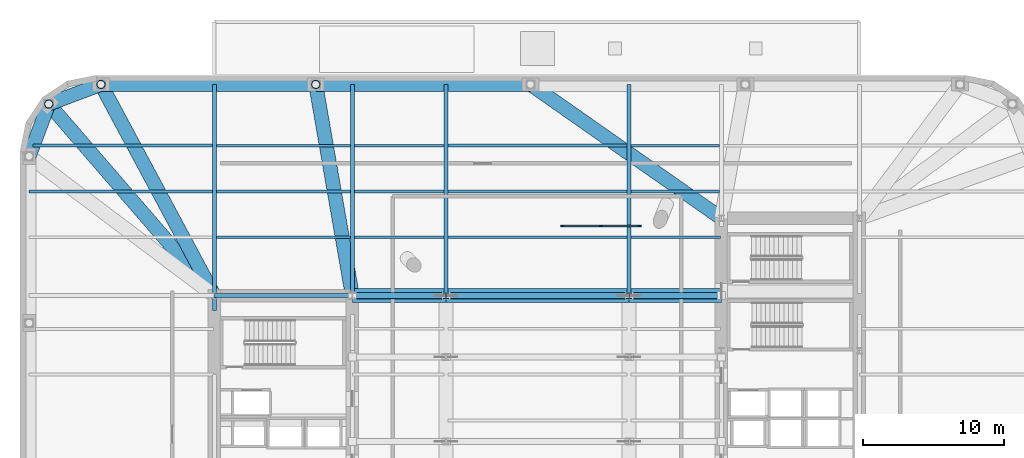
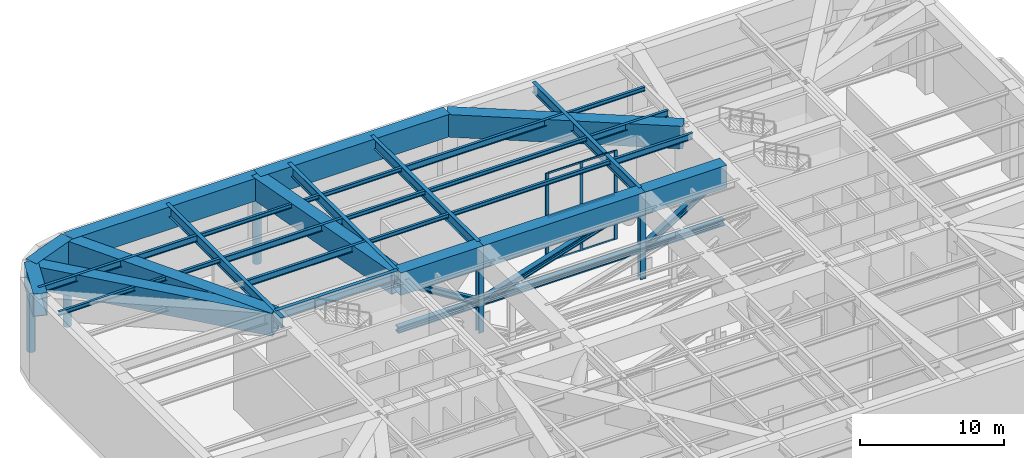
# One storey, part 5 of 15: 30 beams, 20 members, 1 element without a shape of its own.
"""IFC4 building model written with IfcOpenShell, lengths in metres."""

from ifc_helpers import new_model, si_unit, direction, frame, origin, origin_2d, place, context, subcontext, project, spatial, rectangle, hollow_rectangle, hollow_circle, i_section, extrude, material, material_profile, profile_set, type_object, element, aggregate, save


model = new_model("IFC4")

# Units and contexts
model_context = context("Model", 3, precision=1e-05, world=origin(), true_north=direction((0.0, 1.0)))
body_context = subcontext(model_context, "Body", "Model", "MODEL_VIEW")
ifc_project = project(units=[si_unit("LENGTHUNIT", "METRE"), si_unit("AREAUNIT", "SQUARE_METRE"), si_unit("VOLUMEUNIT", "CUBIC_METRE"), si_unit("PLANEANGLEUNIT", "RADIAN"), si_unit("MASSUNIT", "GRAM", prefix="KILO")], contexts=[model_context])

# Site, building, storey
site_placement = place(None, origin())
site = spatial("IfcSite", under=ifc_project, at=site_placement, CompositionType="ELEMENT")
building_placement = place(site_placement, origin())
building = spatial("IfcBuilding", under=site, at=building_placement, Name="Kolvaren Arena Tower", CompositionType="ELEMENT")
storey_placement = place(building_placement, frame((0.0, 0.0, 34.0)))
storey = spatial("IfcBuildingStorey", under=building, at=storey_placement, Name="L06", CompositionType="ELEMENT", Elevation=34.0)

# Beams
ifc_material_1 = material(Name="Steel CSA G40.21 350W", Category="steel")
ifc_material_profile_1 = material_profile(ifc_material_1, i_section(OverallWidth=0.2119140625, OverallDepth=0.54296875, WebThickness=0.01318359375, FlangeThickness=0.0244140625, FilletRadius=0.013916015625, at=origin_2d()), Name="W530x150")
ifc_profile_set_1 = profile_set([ifc_material_profile_1], Name="Steel CSA G40.21 350W")
beam_type_1 = type_object("IfcBeamType", Name="BEAM-F1", PredefinedType="BEAM", material=ifc_profile_set_1)
beam_1_placement = place(storey_placement, frame((14.696044921875, 38.0, 7.278564453125), z_axis=(1.0, 0.0, 0.0), x_axis=(0.0, 1.0, 0.0)))
element("IfcBeam", 1, at=beam_1_placement, inside=storey, type_object=beam_type_1, Name="Composite Floor Beam (L06)", PredefinedType="BEAM", context=body_context, shape_type="SweptSolid", body=[
    extrude(i_section(OverallWidth=0.2119140625, OverallDepth=0.54296875, WebThickness=0.01318359375, FlangeThickness=0.0244140625, FilletRadius=0.013916015625, at=origin_2d()), origin(), (0.0, 0.0, 1.0), 9.508056640625),
])
beam_2_placement = place(storey_placement, frame((44.14599609375, 38.0, 7.278564453125), z_axis=(1.0, 0.0, 0.0), x_axis=(0.0, 1.0, 0.0)))
element("IfcBeam", 2, at=beam_2_placement, inside=storey, type_object=beam_type_1, Name="Composite Floor Beam (L06)", PredefinedType="BEAM", context=body_context, shape_type="SweptSolid", body=[
    extrude(i_section(OverallWidth=0.2119140625, OverallDepth=0.54296875, WebThickness=0.01318359375, FlangeThickness=0.0244140625, FilletRadius=0.013916015625, at=origin_2d()), origin(), (0.0, 0.0, 1.0), 6.333984375),
])
beam_3_placement = place(storey_placement, frame((14.696044921875, 41.25, 7.278564453125), z_axis=(1.0, 0.0, 0.0), x_axis=(0.0, 1.0, 0.0)))
element("IfcBeam", 3, at=beam_3_placement, inside=storey, type_object=beam_type_1, Name="Composite Floor Beam (L06)", PredefinedType="BEAM", context=body_context, shape_type="SweptSolid", body=[
    extrude(i_section(OverallWidth=0.2119140625, OverallDepth=0.54296875, WebThickness=0.01318359375, FlangeThickness=0.0244140625, FilletRadius=0.013916015625, at=origin_2d()), origin(), (0.0, 0.0, 1.0), 9.508056640625),
])
beam_4_placement = place(storey_placement, frame((44.14599609375, 41.25, 7.278564453125), z_axis=(1.0, 0.0, 0.0), x_axis=(0.0, 1.0, 0.0)))
element("IfcBeam", 4, at=beam_4_placement, inside=storey, type_object=beam_type_1, Name="Composite Floor Beam (L06)", PredefinedType="BEAM", context=body_context, shape_type="SweptSolid", body=[
    extrude(i_section(OverallWidth=0.2119140625, OverallDepth=0.54296875, WebThickness=0.01318359375, FlangeThickness=0.0244140625, FilletRadius=0.013916015625, at=origin_2d()), origin(), (0.0, 0.0, 1.0), 6.258056640625),
])
beam_5_placement = place(storey_placement, frame((1.681396484375, 44.5, 7.278564453125), z_axis=(1.0, 0.0, 0.0), x_axis=(0.0, 1.0, 0.0)))
element("IfcBeam", 5, at=beam_5_placement, inside=storey, type_object=beam_type_1, Name="Composite Floor Beam (L06)", PredefinedType="BEAM", context=body_context, shape_type="SweptSolid", body=[
    extrude(i_section(OverallWidth=0.2119140625, OverallDepth=0.54296875, WebThickness=0.01318359375, FlangeThickness=0.0244140625, FilletRadius=0.013916015625, at=origin_2d()), origin(), (0.0, 0.0, 1.0), 12.72265625),
])
beam_6_placement = place(storey_placement, frame((31.14599609375, 44.5, 7.278564453125), z_axis=(1.0, 0.0, 0.0), x_axis=(0.0, 1.0, 0.0)))
element("IfcBeam", 6, at=beam_6_placement, inside=storey, type_object=beam_type_1, Name="Composite Floor Beam (L06)", PredefinedType="BEAM", context=body_context, shape_type="SweptSolid", body=[
    extrude(i_section(OverallWidth=0.2119140625, OverallDepth=0.54296875, WebThickness=0.01318359375, FlangeThickness=0.0244140625, FilletRadius=0.013916015625, at=origin_2d()), origin(), (0.0, 0.0, 1.0), 12.7080078125),
])

# Curtain wall, members
ifc_material_2 = material(Name="Anodised aluminium unitised curtain wall", Category="aluminium")
curtain_wall_type = type_object("IfcCurtainWallType", Name="CW-SYS-05", PredefinedType="USERDEFINED", material=ifc_material_2)
curtain_wall_placement = place(storey_placement, origin())
curtain_wall = element("IfcCurtainWall", 7, at=curtain_wall_placement, inside=storey, type_object=curtain_wall_type, Name="Mechanical Plant Louvre Curtain Wall (L06)", ObjectType="ACOUSTIC LOUVRE SCREEN", PredefinedType="USERDEFINED")
ifc_material_3 = material(Name="Anodised aluminium 6063-T6", Category="aluminium")
ifc_material_profile_2 = material_profile(ifc_material_3, rectangle(XDim=0.10009765625, YDim=0.239990234375, at=origin_2d()), Name="ALU-100x240")
ifc_profile_set_2 = profile_set([ifc_material_profile_2], Name="Anodised aluminium 6063-T6")
member_type_1 = type_object("IfcMemberType", Name="CWM-HVY", PredefinedType="MULLION", material=ifc_profile_set_2)
member_1_placement = place(storey_placement, frame((39.25, 38.800048828125, 0.0), z_axis=(0.0, 0.0, 1.0), x_axis=(0.0, 1.0, 0.0)))
member_1 = element("IfcMember", 8, at=member_1_placement, type_object=member_type_1, Name="CW5 mullion 1", PredefinedType="MULLION", context=body_context, shape_type="SweptSolid", body=[
    extrude(rectangle(XDim=0.10009765625, YDim=0.239990234375, at=origin_2d()), origin(), (0.0, 0.0, 1.0), 7.550048828125),
])
member_2_placement = place(storey_placement, frame((42.0, 38.800048828125, 0.0), z_axis=(0.0, 0.0, 1.0), x_axis=(0.0, 1.0, 0.0)))
member_2 = element("IfcMember", 9, at=member_2_placement, type_object=member_type_1, Name="CW5 mullion 2", PredefinedType="MULLION", context=body_context, shape_type="SweptSolid", body=[
    extrude(rectangle(XDim=0.10009765625, YDim=0.239990234375, at=origin_2d()), origin(), (0.0, 0.0, 1.0), 7.550048828125),
])
member_3_placement = place(storey_placement, frame((44.75, 38.800048828125, 0.0), z_axis=(0.0, 0.0, 1.0), x_axis=(0.0, 1.0, 0.0)))
member_3 = element("IfcMember", 10, at=member_3_placement, type_object=member_type_1, Name="CW5 mullion 3", PredefinedType="MULLION", context=body_context, shape_type="SweptSolid", body=[
    extrude(rectangle(XDim=0.10009765625, YDim=0.239990234375, at=origin_2d()), origin(), (0.0, 0.0, 1.0), 7.550048828125),
])
ifc_material_profile_3 = material_profile(ifc_material_3, rectangle(XDim=0.080078125, YDim=0.14990234375, at=origin_2d()), Name="ALU-80x150")
ifc_profile_set_3 = profile_set([ifc_material_profile_3], Name="Anodised aluminium 6063-T6")
member_type_2 = type_object("IfcMemberType", Name="CWT-STD", PredefinedType="USERDEFINED", material=ifc_profile_set_3)
member_4_placement = place(storey_placement, frame((39.300048828125, 38.800048828125, 0.0400390625), z_axis=(1.0, 0.0, 0.0), x_axis=(0.0, 1.0, 0.0)))
member_4 = element("IfcMember", 11, at=member_4_placement, type_object=member_type_2, Name="CW5 transom 1.1", ObjectType="TRANSOM", PredefinedType="USERDEFINED", context=body_context, shape_type="SweptSolid", body=[
    extrude(rectangle(XDim=0.080078125, YDim=0.14990234375, at=origin_2d()), origin(), (0.0, 0.0, 1.0), 2.64990234375),
])
member_5_placement = place(storey_placement, frame((39.300048828125, 38.800048828125, 3.77490234375), z_axis=(1.0, 0.0, 0.0), x_axis=(0.0, 1.0, 0.0)))
member_5 = element("IfcMember", 12, at=member_5_placement, type_object=member_type_2, Name="CW5 transom 1.2", ObjectType="TRANSOM", PredefinedType="USERDEFINED", context=body_context, shape_type="SweptSolid", body=[
    extrude(rectangle(XDim=0.080078125, YDim=0.14990234375, at=origin_2d()), origin(), (0.0, 0.0, 1.0), 2.64990234375),
])
member_6_placement = place(storey_placement, frame((39.300048828125, 38.800048828125, 7.510009765625), z_axis=(1.0, 0.0, 0.0), x_axis=(0.0, 1.0, 0.0)))
member_6 = element("IfcMember", 13, at=member_6_placement, type_object=member_type_2, Name="CW5 transom 1.3", ObjectType="TRANSOM", PredefinedType="USERDEFINED", context=body_context, shape_type="SweptSolid", body=[
    extrude(rectangle(XDim=0.080078125, YDim=0.14990234375, at=origin_2d()), origin(), (0.0, 0.0, 1.0), 2.64990234375),
])
member_7_placement = place(storey_placement, frame((42.050048828125, 38.800048828125, 0.0400390625), z_axis=(1.0, 0.0, 0.0), x_axis=(0.0, 1.0, 0.0)))
member_7 = element("IfcMember", 14, at=member_7_placement, type_object=member_type_2, Name="CW5 transom 2.1", ObjectType="TRANSOM", PredefinedType="USERDEFINED", context=body_context, shape_type="SweptSolid", body=[
    extrude(rectangle(XDim=0.080078125, YDim=0.14990234375, at=origin_2d()), origin(), (0.0, 0.0, 1.0), 2.64990234375),
])
member_8_placement = place(storey_placement, frame((42.050048828125, 38.800048828125, 3.77490234375), z_axis=(1.0, 0.0, 0.0), x_axis=(0.0, 1.0, 0.0)))
member_8 = element("IfcMember", 15, at=member_8_placement, type_object=member_type_2, Name="CW5 transom 2.2", ObjectType="TRANSOM", PredefinedType="USERDEFINED", context=body_context, shape_type="SweptSolid", body=[
    extrude(rectangle(XDim=0.080078125, YDim=0.14990234375, at=origin_2d()), origin(), (0.0, 0.0, 1.0), 2.64990234375),
])
member_9_placement = place(storey_placement, frame((42.050048828125, 38.800048828125, 7.510009765625), z_axis=(1.0, 0.0, 0.0), x_axis=(0.0, 1.0, 0.0)))
member_9 = element("IfcMember", 16, at=member_9_placement, type_object=member_type_2, Name="CW5 transom 2.3", ObjectType="TRANSOM", PredefinedType="USERDEFINED", context=body_context, shape_type="SweptSolid", body=[
    extrude(rectangle(XDim=0.080078125, YDim=0.14990234375, at=origin_2d()), origin(), (0.0, 0.0, 1.0), 2.64990234375),
])
aggregate(curtain_wall, [member_1, member_2, member_3, member_4, member_5, member_6, member_7, member_8, member_9])

# Members
ifc_material_4 = material(Name="Steel CSA G40.21 350WT", Category="steel")
ifc_material_profile_4 = material_profile(ifc_material_4, hollow_circle(Radius=0.304931640625, WallThickness=0.028076171875, at=origin_2d()), Name="CHS 610x28")
ifc_profile_set_4 = profile_set([ifc_material_profile_4], Name="Steel CSA G40.21 350WT")
member_type_3 = type_object("IfcMemberType", Name="EXO-STRUT1", PredefinedType="STRUT", material=ifc_profile_set_4)
for number, where, z_axis, x_axis, name in (
    (17, (21.75, 48.85009765625, 0.0), (0.0, 0.0, 1.0), (1.0, 0.0, 0.0), "B1 Transfer Exoskeleton Strut 15"),
    (18, (6.5, 48.85009765625, 0.0), (0.0, 0.0, 1.0), (1.0, 0.0, 0.0), "B1 Transfer Exoskeleton Strut 16"),
    (19, (2.791259765625, 47.458740234375, 0.0), (0.0, 0.0, 1.0), (1.0, 0.0, 0.0), "B1 Transfer Exoskeleton Strut 17"),
):
    element("IfcMember", number, at=place(storey_placement, frame(where, z_axis=z_axis, x_axis=x_axis)), inside=storey, type_object=member_type_3, Name=name, PredefinedType="STRUT", context=body_context, shape_type="SweptSolid", body=[
        extrude(hollow_circle(Radius=0.304931640625, WallThickness=0.028076171875, at=origin_2d()), origin(), (0.0, 0.0, 1.0), 6.590087890625),
    ])

# Beams
ifc_material_profile_5 = material_profile(ifc_material_1, i_section(OverallWidth=0.2919921875, OverallDepth=0.85498046875, WebThickness=0.02099609375, FlangeThickness=0.03564453125, FilletRadius=0.01806640625, at=origin_2d()), Name="W840x299")
ifc_profile_set_5 = profile_set([ifc_material_profile_5], Name="Steel CSA G40.21 350W")
beam_type_2 = type_object("IfcBeamType", Name="GIRD-P1", PredefinedType="BEAM", material=ifc_profile_set_5)
beam_7_placement = place(storey_placement, frame((14.550048828125, 33.85009765625, 7.12255859375), z_axis=(1.0, 0.0, 0.0), x_axis=(0.0, 1.0, 0.0)))
element("IfcBeam", 20, at=beam_7_placement, inside=storey, type_object=beam_type_2, Name="Primary Floor Girder (L06)", PredefinedType="BEAM", context=body_context, shape_type="SweptSolid", body=[
    extrude(i_section(OverallWidth=0.2919921875, OverallDepth=0.85498046875, WebThickness=0.02099609375, FlangeThickness=0.03564453125, FilletRadius=0.01806640625, at=origin_2d()), origin(), (0.0, 0.0, 1.0), 9.800048828125),
])
beam_8_placement = place(storey_placement, frame((14.550048828125, 32.7900390625, 7.12255859375), z_axis=(0.0, 1.0, 0.0), x_axis=(-1.0, 0.0, 0.0)))
element("IfcBeam", 21, at=beam_8_placement, inside=storey, type_object=beam_type_2, Name="Primary Floor Girder (L06)", PredefinedType="BEAM", context=body_context, shape_type="SweptSolid", body=[
    extrude(i_section(OverallWidth=0.2919921875, OverallDepth=0.85498046875, WebThickness=0.02099609375, FlangeThickness=0.03564453125, FilletRadius=0.01806640625, at=origin_2d()), origin(), (0.0, 0.0, 1.0), 16.06005859375),
])
beam_9_placement = place(storey_placement, frame((24.35009765625, 33.85009765625, 7.12255859375), z_axis=(0.0, 1.0, 0.0), x_axis=(-1.0, 0.0, 0.0)))
element("IfcBeam", 22, at=beam_9_placement, inside=storey, type_object=beam_type_2, Name="Primary Floor Girder (L06)", PredefinedType="BEAM", context=body_context, shape_type="SweptSolid", body=[
    extrude(i_section(OverallWidth=0.2919921875, OverallDepth=0.85498046875, WebThickness=0.02099609375, FlangeThickness=0.03564453125, FilletRadius=0.01806640625, at=origin_2d()), origin(), (0.0, 0.0, 1.0), 15.0),
])
for number, where, z_axis, x_axis, name in (
    (23, (31.0, 33.99609375, 7.12255859375), (0.0, 1.0, 0.0), (-1.0, 0.0, 0.0), "Primary Floor Girder (L06)"),
    (24, (44.0, 33.99609375, 7.12255859375), (0.0, 1.0, 0.0), (-1.0, 0.0, 0.0), "Primary Floor Girder (L06)"),
):
    element("IfcBeam", number, at=place(storey_placement, frame(where, z_axis=z_axis, x_axis=x_axis)), inside=storey, type_object=beam_type_2, Name=name, PredefinedType="BEAM", context=body_context, shape_type="SweptSolid", body=[
        extrude(i_section(OverallWidth=0.2919921875, OverallDepth=0.85498046875, WebThickness=0.02099609375, FlangeThickness=0.03564453125, FilletRadius=0.01806640625, at=origin_2d()), origin(), (0.0, 0.0, 1.0), 14.85400390625),
    ])
ifc_material_profile_6 = material_profile(ifc_material_1, i_section(OverallWidth=0.202880859375, OverallDepth=0.346923828125, WebThickness=0.0078125, FlangeThickness=0.013427734375, FilletRadius=0.010986328125, at=origin_2d()), Name="W360x64")
ifc_profile_set_6 = profile_set([ifc_material_profile_6], Name="Steel CSA G40.21 350W")
beam_type_3 = type_object("IfcBeamType", Name="JOIST-01", PredefinedType="JOIST", material=ifc_profile_set_6)
beam_10_placement = place(storey_placement, frame((24.49609375, 38.0, 7.37646484375), z_axis=(1.0, 0.0, 0.0), x_axis=(0.0, 1.0, 0.0)))
element("IfcBeam", 25, at=beam_10_placement, inside=storey, type_object=beam_type_3, Name="Composite Floor Joist (L06)", PredefinedType="JOIST", context=body_context, shape_type="SweptSolid", body=[
    extrude(i_section(OverallWidth=0.202880859375, OverallDepth=0.346923828125, WebThickness=0.0078125, FlangeThickness=0.013427734375, FilletRadius=0.010986328125, at=origin_2d()), origin(), (0.0, 0.0, 1.0), 6.35791015625),
])
beam_11_placement = place(storey_placement, frame((31.14599609375, 38.0, 7.37646484375), z_axis=(1.0, 0.0, 0.0), x_axis=(0.0, 1.0, 0.0)))
element("IfcBeam", 26, at=beam_11_placement, inside=storey, type_object=beam_type_3, Name="Composite Floor Joist (L06)", PredefinedType="JOIST", context=body_context, shape_type="SweptSolid", body=[
    extrude(i_section(OverallWidth=0.202880859375, OverallDepth=0.346923828125, WebThickness=0.0078125, FlangeThickness=0.013427734375, FilletRadius=0.010986328125, at=origin_2d()), origin(), (0.0, 0.0, 1.0), 12.7080078125),
])
beam_12_placement = place(storey_placement, frame((1.39990234375, 41.25, 7.37646484375), z_axis=(1.0, 0.0, 0.0), x_axis=(0.0, 1.0, 0.0)))
element("IfcBeam", 27, at=beam_12_placement, inside=storey, type_object=beam_type_3, Name="Composite Floor Joist (L06)", PredefinedType="JOIST", context=body_context, shape_type="SweptSolid", body=[
    extrude(i_section(OverallWidth=0.202880859375, OverallDepth=0.346923828125, WebThickness=0.0078125, FlangeThickness=0.013427734375, FilletRadius=0.010986328125, at=origin_2d()), origin(), (0.0, 0.0, 1.0), 13.004150390625),
])
beam_13_placement = place(storey_placement, frame((24.49609375, 41.25, 7.37646484375), z_axis=(1.0, 0.0, 0.0), x_axis=(0.0, 1.0, 0.0)))
element("IfcBeam", 28, at=beam_13_placement, inside=storey, type_object=beam_type_3, Name="Composite Floor Joist (L06)", PredefinedType="JOIST", context=body_context, shape_type="SweptSolid", body=[
    extrude(i_section(OverallWidth=0.202880859375, OverallDepth=0.346923828125, WebThickness=0.0078125, FlangeThickness=0.013427734375, FilletRadius=0.010986328125, at=origin_2d()), origin(), (0.0, 0.0, 1.0), 6.35791015625),
])
beam_14_placement = place(storey_placement, frame((31.14599609375, 41.25, 7.37646484375), z_axis=(1.0, 0.0, 0.0), x_axis=(0.0, 1.0, 0.0)))
element("IfcBeam", 29, at=beam_14_placement, inside=storey, type_object=beam_type_3, Name="Composite Floor Joist (L06)", PredefinedType="JOIST", context=body_context, shape_type="SweptSolid", body=[
    extrude(i_section(OverallWidth=0.202880859375, OverallDepth=0.346923828125, WebThickness=0.0078125, FlangeThickness=0.013427734375, FilletRadius=0.010986328125, at=origin_2d()), origin(), (0.0, 0.0, 1.0), 12.7080078125),
])
beam_15_placement = place(storey_placement, frame((14.696044921875, 44.5, 7.37646484375), z_axis=(1.0, 0.0, 0.0), x_axis=(0.0, 1.0, 0.0)))
element("IfcBeam", 30, at=beam_15_placement, inside=storey, type_object=beam_type_3, Name="Composite Floor Joist (L06)", PredefinedType="JOIST", context=body_context, shape_type="SweptSolid", body=[
    extrude(i_section(OverallWidth=0.202880859375, OverallDepth=0.346923828125, WebThickness=0.0078125, FlangeThickness=0.013427734375, FilletRadius=0.010986328125, at=origin_2d()), origin(), (0.0, 0.0, 1.0), 9.508056640625),
])
beam_16_placement = place(storey_placement, frame((24.49609375, 44.5, 7.37646484375), z_axis=(1.0, 0.0, 0.0), x_axis=(0.0, 1.0, 0.0)))
element("IfcBeam", 31, at=beam_16_placement, inside=storey, type_object=beam_type_3, Name="Composite Floor Joist (L06)", PredefinedType="JOIST", context=body_context, shape_type="SweptSolid", body=[
    extrude(i_section(OverallWidth=0.202880859375, OverallDepth=0.346923828125, WebThickness=0.0078125, FlangeThickness=0.013427734375, FilletRadius=0.010986328125, at=origin_2d()), origin(), (0.0, 0.0, 1.0), 6.35791015625),
])
beam_17_placement = place(storey_placement, frame((44.14599609375, 44.5, 7.37646484375), z_axis=(1.0, 0.0, 0.0), x_axis=(0.0, 1.0, 0.0)))
element("IfcBeam", 32, at=beam_17_placement, inside=storey, type_object=beam_type_3, Name="Composite Floor Joist (L06)", PredefinedType="JOIST", context=body_context, shape_type="SweptSolid", body=[
    extrude(i_section(OverallWidth=0.202880859375, OverallDepth=0.346923828125, WebThickness=0.0078125, FlangeThickness=0.013427734375, FilletRadius=0.010986328125, at=origin_2d()), origin(), (0.0, 0.0, 1.0), 6.258056640625),
])

# Members
ifc_material_5 = material(Name="Steel ASTM A913 Grade 65", Category="steel")
ifc_material_profile_7 = material_profile(ifc_material_5, i_section(OverallWidth=0.44189453125, OverallDepth=0.531005859375, WebThickness=0.0654296875, FlangeThickness=0.10595703125, FilletRadius=0.02001953125, at=origin_2d()), Name="W360x900")
ifc_profile_set_7 = profile_set([ifc_material_profile_7], Name="Steel ASTM A913 Grade 65")
member_type_4 = type_object("IfcMemberType", Name="MCHORD-BOT", PredefinedType="CHORD", material=ifc_profile_set_7)
member_10_placement = place(storey_placement, frame((24.35009765625, 33.85009765625, 2.5), z_axis=(1.0, 0.0, 0.0), x_axis=(0.0, 1.0, 0.0)))
element("IfcMember", 33, at=member_10_placement, inside=storey, type_object=member_type_4, Name="Mega-Transfer Truss 4 Bottom Chord", PredefinedType="CHORD", context=body_context, shape_type="SweptSolid", body=[
    extrude(i_section(OverallWidth=0.44189453125, OverallDepth=0.531005859375, WebThickness=0.0654296875, FlangeThickness=0.10595703125, FilletRadius=0.02001953125, at=origin_2d()), origin(), (0.0, 0.0, 1.0), 6.64990234375),
])
member_11_placement = place(storey_placement, frame((31.0, 33.85009765625, 2.5), z_axis=(1.0, 0.0, 0.0), x_axis=(0.0, 1.0, 0.0)))
element("IfcMember", 34, at=member_11_placement, inside=storey, type_object=member_type_4, Name="Mega-Transfer Truss 4 Bottom Chord", PredefinedType="CHORD", context=body_context, shape_type="SweptSolid", body=[
    extrude(i_section(OverallWidth=0.44189453125, OverallDepth=0.531005859375, WebThickness=0.0654296875, FlangeThickness=0.10595703125, FilletRadius=0.02001953125, at=origin_2d()), origin(), (0.0, 0.0, 1.0), 13.0),
])
member_12_placement = place(storey_placement, frame((44.0, 33.85009765625, 2.5), z_axis=(1.0, 0.0, 0.0), x_axis=(0.0, 1.0, 0.0)))
element("IfcMember", 35, at=member_12_placement, inside=storey, type_object=member_type_4, Name="Mega-Transfer Truss 4 Bottom Chord", PredefinedType="CHORD", context=body_context, shape_type="SweptSolid", body=[
    extrude(i_section(OverallWidth=0.44189453125, OverallDepth=0.531005859375, WebThickness=0.0654296875, FlangeThickness=0.10595703125, FilletRadius=0.02001953125, at=origin_2d()), origin(), (0.0, 0.0, 1.0), 6.550048828125),
])
ifc_material_profile_8 = material_profile(ifc_material_5, i_section(OverallWidth=0.431884765625, OverallDepth=0.498046875, WebThickness=0.0556640625, FlangeThickness=0.0888671875, FilletRadius=0.02001953125, at=origin_2d()), Name="W360x744")
ifc_profile_set_8 = profile_set([ifc_material_profile_8], Name="Steel ASTM A913 Grade 65")
member_type_5 = type_object("IfcMemberType", Name="MDIAG-01", PredefinedType="BRACE", material=ifc_profile_set_8)
member_13_placement = place(storey_placement, frame((24.35009765625, 33.85009765625, 6.590087890625), z_axis=(0.851781769773, 0.0, -0.523896761473), x_axis=(0.0, 1.0, 0.0)))
element("IfcMember", 36, at=member_13_placement, inside=storey, type_object=member_type_5, Name="Mega-Transfer Truss 4 Web Diagonal", PredefinedType="BRACE", context=body_context, shape_type="SweptSolid", body=[
    extrude(i_section(OverallWidth=0.431884765625, OverallDepth=0.498046875, WebThickness=0.0556640625, FlangeThickness=0.0888671875, FilletRadius=0.02001953125, at=origin_2d()), origin(), (0.0, 0.0, 1.0), 7.80712890625),
])
member_14_placement = place(storey_placement, frame((31.0, 33.85009765625, 2.5), z_axis=(0.953901877922, 0.0, 0.300118655364), x_axis=(0.0, 1.0, 0.0)))
element("IfcMember", 37, at=member_14_placement, inside=storey, type_object=member_type_5, Name="Mega-Transfer Truss 4 Web Diagonal", PredefinedType="BRACE", context=body_context, shape_type="SweptSolid", body=[
    extrude(i_section(OverallWidth=0.431884765625, OverallDepth=0.498046875, WebThickness=0.0556640625, FlangeThickness=0.0888671875, FilletRadius=0.02001953125, at=origin_2d()), origin(), (0.0, 0.0, 1.0), 13.628173828125),
])
member_15_placement = place(storey_placement, frame((44.0, 33.85009765625, 2.5), z_axis=(0.848213148869, 0.0, 0.529655033098), x_axis=(0.0, 1.0, 0.0)))
element("IfcMember", 38, at=member_15_placement, inside=storey, type_object=member_type_5, Name="Mega-Transfer Truss 4 Web Diagonal", PredefinedType="BRACE", context=body_context, shape_type="SweptSolid", body=[
    extrude(i_section(OverallWidth=0.431884765625, OverallDepth=0.498046875, WebThickness=0.0556640625, FlangeThickness=0.0888671875, FilletRadius=0.02001953125, at=origin_2d()), origin(), (0.0, 0.0, 1.0), 7.72216796875),
])
ifc_material_profile_9 = material_profile(ifc_material_5, i_section(OverallWidth=0.41796875, OverallDepth=0.455078125, WebThickness=0.0419921875, FlangeThickness=0.067626953125, FilletRadius=0.02001953125, at=origin_2d()), Name="W360x551")
ifc_profile_set_9 = profile_set([ifc_material_profile_9], Name="Steel ASTM A913 Grade 65")
member_type_6 = type_object("IfcMemberType", Name="MPOST-01", PredefinedType="POST", material=ifc_profile_set_9)
for number, where, z_axis, x_axis, name in (
    (39, (31.0, 33.85009765625, 0.0), (0.0, 0.0, 1.0), (1.0, 0.0, 0.0), "Mega-Transfer Truss 4 Vertical Post"),
    (40, (44.0, 33.85009765625, 0.0), (0.0, 0.0, 1.0), (1.0, 0.0, 0.0), "Mega-Transfer Truss 4 Vertical Post"),
):
    element("IfcMember", number, at=place(storey_placement, frame(where, z_axis=z_axis, x_axis=x_axis)), inside=storey, type_object=member_type_6, Name=name, PredefinedType="POST", context=body_context, shape_type="SweptSolid", body=[
        extrude(i_section(OverallWidth=0.41796875, OverallDepth=0.455078125, WebThickness=0.0419921875, FlangeThickness=0.067626953125, FilletRadius=0.02001953125, at=origin_2d()), origin(), (0.0, 0.0, 1.0), 6.239990234375),
    ])

# Beams
ifc_material_profile_10 = material_profile(ifc_material_4, hollow_rectangle(XDim=1.0, YDim=1.919921875, WallThickness=0.044921875, at=origin_2d()), Name="BOX 1000x1920x45")
ifc_profile_set_10 = profile_set([ifc_material_profile_10], Name="Steel CSA G40.21 350WT")
beam_type_4 = type_object("IfcBeamType", Name="TG-MEGA", PredefinedType="USERDEFINED", material=ifc_profile_set_10)
beam_18_placement = place(storey_placement, frame((37.0, 48.85009765625, 6.590087890625), z_axis=(-1.0, 0.0, 0.0), x_axis=(0.0, -1.0, 0.0)))
element("IfcBeam", 41, at=beam_18_placement, inside=storey, type_object=beam_type_4, Name="B1 Perimeter Transfer Ring Girder 14", ObjectType="TRANSFER GIRDER", PredefinedType="USERDEFINED", context=body_context, shape_type="SweptSolid", body=[
    extrude(hollow_rectangle(XDim=1.0, YDim=1.919921875, WallThickness=0.044921875, at=origin_2d()), origin(), (0.0, 0.0, 1.0), 15.25),
])
beam_19_placement = place(storey_placement, frame((37.0, 48.85009765625, 6.590087890625), z_axis=(0.818806828783, -0.574069139684, 0.0), x_axis=(0.574069139684, 0.818806828783, 0.0)))
element("IfcBeam", 42, at=beam_19_placement, inside=storey, type_object=beam_type_4, Name="B1 Cantilever Radial Transfer Girder 14", ObjectType="TRANSFER GIRDER", PredefinedType="USERDEFINED", context=body_context, shape_type="SweptSolid", body=[
    extrude(hollow_rectangle(XDim=1.0, YDim=1.919921875, WallThickness=0.044921875, at=origin_2d()), origin(), (0.0, 0.0, 1.0), 16.548583984375),
])
beam_20_placement = place(storey_placement, frame((21.75, 48.85009765625, 6.590087890625), z_axis=(-1.0, 0.0, 0.0), x_axis=(0.0, -1.0, 0.0)))
element("IfcBeam", 43, at=beam_20_placement, inside=storey, type_object=beam_type_4, Name="B1 Perimeter Transfer Ring Girder 15", ObjectType="TRANSFER GIRDER", PredefinedType="USERDEFINED", context=body_context, shape_type="SweptSolid", body=[
    extrude(hollow_rectangle(XDim=1.0, YDim=1.919921875, WallThickness=0.044921875, at=origin_2d()), origin(), (0.0, 0.0, 1.0), 15.25),
])
beam_21_placement = place(storey_placement, frame((21.75, 48.85009765625, 6.590087890625), z_axis=(0.170792951185, -0.98530694092, 0.0), x_axis=(0.98530694092, 0.170792951185, 0.0)))
element("IfcBeam", 44, at=beam_21_placement, inside=storey, type_object=beam_type_4, Name="B1 Cantilever Radial Transfer Girder 15", ObjectType="TRANSFER GIRDER", PredefinedType="USERDEFINED", context=body_context, shape_type="SweptSolid", body=[
    extrude(hollow_rectangle(XDim=1.0, YDim=1.919921875, WallThickness=0.044921875, at=origin_2d()), origin(), (0.0, 0.0, 1.0), 15.2236328125),
])
beam_22_placement = place(storey_placement, frame((6.5, 48.85009765625, 6.590087890625), z_axis=(-0.93628104365, -0.351251771955, 0.0), x_axis=(0.351251771955, -0.93628104365, 0.0)))
element("IfcBeam", 45, at=beam_22_placement, inside=storey, type_object=beam_type_4, Name="B1 Perimeter Transfer Ring Girder 16", ObjectType="TRANSFER GIRDER", PredefinedType="USERDEFINED", context=body_context, shape_type="SweptSolid", body=[
    extrude(hollow_rectangle(XDim=1.0, YDim=1.919921875, WallThickness=0.044921875, at=origin_2d()), origin(), (0.0, 0.0, 1.0), 3.961181640625),
])
beam_23_placement = place(storey_placement, frame((6.5, 48.85009765625, 6.590087890625), z_axis=(0.472875552543, -0.881129225373, 0.0), x_axis=(0.881129225373, 0.472875552543, 0.0)))
element("IfcBeam", 46, at=beam_23_placement, inside=storey, type_object=beam_type_4, Name="B1 Cantilever Radial Transfer Girder 16", ObjectType="TRANSFER GIRDER", PredefinedType="USERDEFINED", context=body_context, shape_type="SweptSolid", body=[
    extrude(hollow_rectangle(XDim=1.0, YDim=1.919921875, WallThickness=0.044921875, at=origin_2d()), origin(), (0.0, 0.0, 1.0), 17.023681640625),
])
beam_24_placement = place(storey_placement, frame((2.791259765625, 47.458740234375, 6.590087890625), z_axis=(-0.351251771955, -0.93628104365, 0.0), x_axis=(0.93628104365, -0.351251771955, 0.0)))
element("IfcBeam", 47, at=beam_24_placement, inside=storey, type_object=beam_type_4, Name="B1 Perimeter Transfer Ring Girder 17", ObjectType="TRANSFER GIRDER", PredefinedType="USERDEFINED", context=body_context, shape_type="SweptSolid", body=[
    extrude(hollow_rectangle(XDim=1.0, YDim=1.919921875, WallThickness=0.044921875, at=origin_2d()), origin(), (0.0, 0.0, 1.0), 3.961181640625),
])
beam_25_placement = place(storey_placement, frame((2.791259765625, 47.458740234375, 6.590087890625), z_axis=(0.653806810332, -0.756661519283, 0.0), x_axis=(0.756661519283, 0.653806810332, 0.0)))
element("IfcBeam", 48, at=beam_25_placement, inside=storey, type_object=beam_type_4, Name="B1 Cantilever Radial Transfer Girder 17", ObjectType="TRANSFER GIRDER", PredefinedType="USERDEFINED", context=body_context, shape_type="SweptSolid", body=[
    extrude(hollow_rectangle(XDim=1.0, YDim=1.919921875, WallThickness=0.044921875, at=origin_2d()), origin(), (0.0, 0.0, 1.0), 17.985107421875),
])
beam_26_placement = place(storey_placement, frame((24.35009765625, 33.85009765625, 6.590087890625), z_axis=(1.0, 0.0, 0.0), x_axis=(0.0, 1.0, 0.0)))
element("IfcBeam", 49, at=beam_26_placement, inside=storey, type_object=beam_type_4, Name="Mega-Transfer Truss 4 Top Transfer Girder", ObjectType="TRANSFER GIRDER", PredefinedType="USERDEFINED", context=body_context, shape_type="SweptSolid", body=[
    extrude(hollow_rectangle(XDim=1.0, YDim=1.919921875, WallThickness=0.044921875, at=origin_2d()), origin(), (0.0, 0.0, 1.0), 6.64990234375),
])
beam_27_placement = place(storey_placement, frame((31.0, 33.85009765625, 6.590087890625), z_axis=(1.0, 0.0, 0.0), x_axis=(0.0, 1.0, 0.0)))
element("IfcBeam", 50, at=beam_27_placement, inside=storey, type_object=beam_type_4, Name="Mega-Transfer Truss 4 Top Transfer Girder", ObjectType="TRANSFER GIRDER", PredefinedType="USERDEFINED", context=body_context, shape_type="SweptSolid", body=[
    extrude(hollow_rectangle(XDim=1.0, YDim=1.919921875, WallThickness=0.044921875, at=origin_2d()), origin(), (0.0, 0.0, 1.0), 13.0),
])
beam_28_placement = place(storey_placement, frame((44.0, 33.85009765625, 6.590087890625), z_axis=(1.0, 0.0, 0.0), x_axis=(0.0, 1.0, 0.0)))
element("IfcBeam", 51, at=beam_28_placement, inside=storey, type_object=beam_type_4, Name="Mega-Transfer Truss 4 Top Transfer Girder", ObjectType="TRANSFER GIRDER", PredefinedType="USERDEFINED", context=body_context, shape_type="SweptSolid", body=[
    extrude(hollow_rectangle(XDim=1.0, YDim=1.919921875, WallThickness=0.044921875, at=origin_2d()), origin(), (0.0, 0.0, 1.0), 6.550048828125),
])

save(model, "model.ifc")
